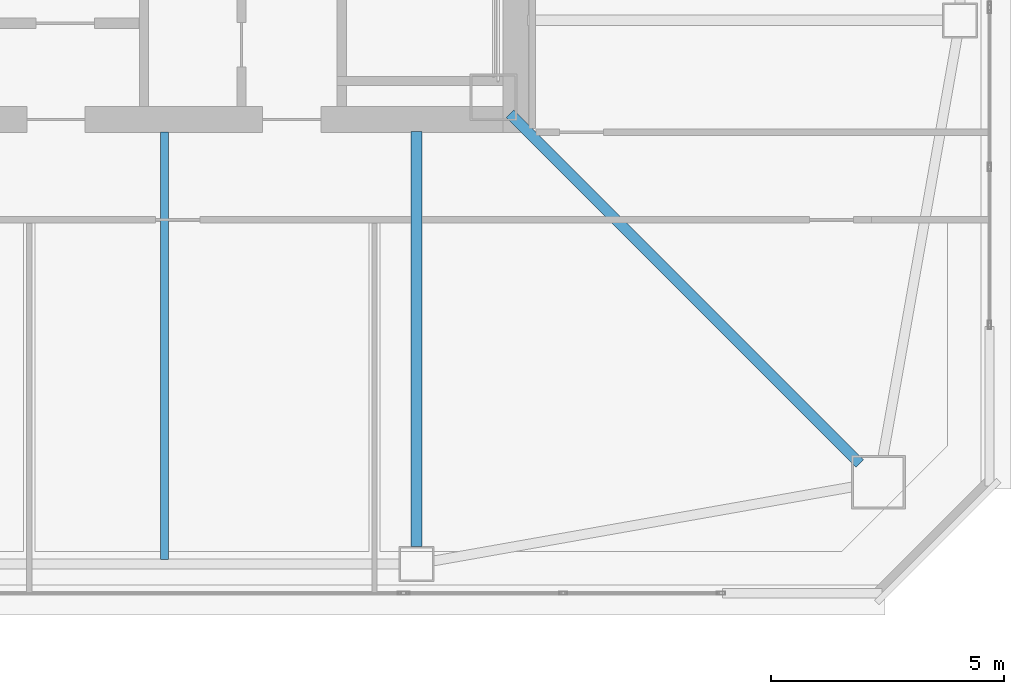
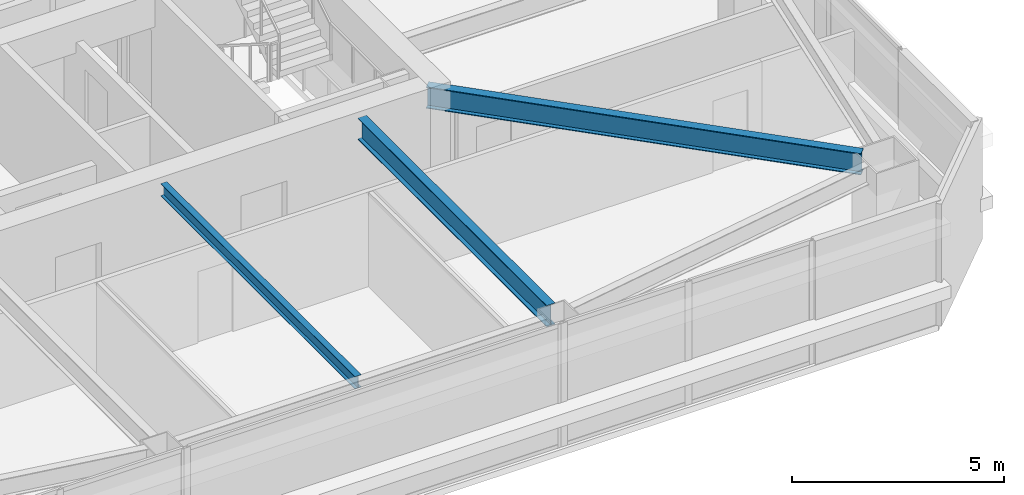
# One storey, part 7 of 43: 3 beams.
"""IFC4 building model written with IfcOpenShell, lengths in metres."""

from ifc_helpers import new_model, si_unit, direction, frame, origin, origin_2d, place, context, subcontext, project, spatial, i_section, extrude, material, material_profile, profile_set, type_object, element, save


model = new_model("IFC4")

# Units and contexts
model_context = context("Model", 3, precision=1e-05, world=origin(), true_north=direction((0.0, 1.0)))
body_context = subcontext(model_context, "Body", "Model", "MODEL_VIEW")
ifc_project = project(units=[si_unit("LENGTHUNIT", "METRE"), si_unit("AREAUNIT", "SQUARE_METRE"), si_unit("VOLUMEUNIT", "CUBIC_METRE"), si_unit("PLANEANGLEUNIT", "RADIAN"), si_unit("MASSUNIT", "GRAM", prefix="KILO")], contexts=[model_context])

# Site, building, storey
site_placement = place(None, origin())
site = spatial("IfcSite", under=ifc_project, at=site_placement, CompositionType="ELEMENT")
building_placement = place(site_placement, origin())
building = spatial("IfcBuilding", under=site, at=building_placement, Name="Tashvorn Skyway Center", CompositionType="ELEMENT")
storey_placement = place(building_placement, frame((0.0, 0.0, 160.550048828125)))
storey = spatial("IfcBuildingStorey", under=building, at=storey_placement, Name="L43", CompositionType="ELEMENT", Elevation=160.550048828125)

# Beams
ifc_material = material(Name="Steel ASTM A992 Grade 50", Category="steel")
ifc_material_profile_1 = material_profile(ifc_material, i_section(OverallWidth=0.22998046875, OverallDepth=0.616943359375, WebThickness=0.01318359375, FlangeThickness=0.022216796875, at=origin_2d()), Name="W24X94")
ifc_profile_set_1 = profile_set([ifc_material_profile_1], Name="Steel ASTM A992 Grade 50")
beam_type_1 = type_object("IfcBeamType", Name="BM-BEAM-W24X94", PredefinedType="BEAM", material=ifc_profile_set_1)
beam_1_placement = place(storey_placement, frame((56.89697265625, 17.10302734375, 3.0615234375), z_axis=(-0.707106781187, 0.707106781187, 0.0), x_axis=(-0.707106781187, -0.707106781187, 0.0)))
element("IfcBeam", 1, at=beam_1_placement, inside=storey, type_object=beam_type_1, Name="Tower 1 L43 Primary Floor Girder MC-SE", PredefinedType="BEAM", context=body_context, shape_type="SweptSolid", body=[
    extrude(i_section(OverallWidth=0.22998046875, OverallDepth=0.616943359375, WebThickness=0.01318359375, FlangeThickness=0.022216796875, at=origin_2d()), origin(), (0.0, 0.0, 1.0), 10.6025390625),
])
beam_2_placement = place(storey_placement, frame((47.39990234375, 15.320068359375, 3.0615234375), z_axis=(0.0, 1.0, 0.0), x_axis=(-1.0, 0.0, 0.0)))
element("IfcBeam", 2, at=beam_2_placement, inside=storey, type_object=beam_type_1, Name="Tower 1 L43 Primary Floor Girder FC-S2", PredefinedType="BEAM", context=body_context, shape_type="SweptSolid", body=[
    extrude(i_section(OverallWidth=0.22998046875, OverallDepth=0.616943359375, WebThickness=0.01318359375, FlangeThickness=0.022216796875, at=origin_2d()), origin(), (0.0, 0.0, 1.0), 8.89990234375),
])
ifc_material_profile_2 = material_profile(ifc_material, i_section(OverallWidth=0.1708984375, OverallDepth=0.35498046875, WebThickness=0.007080078125, FlangeThickness=0.01171875, at=origin_2d()), Name="W14X34")
ifc_profile_set_2 = profile_set([ifc_material_profile_2], Name="Steel ASTM A992 Grade 50")
beam_type_2 = type_object("IfcBeamType", Name="BM-JOIST-W14X34", PredefinedType="JOIST", material=ifc_profile_set_2)
beam_3_placement = place(storey_placement, frame((42.0, 24.2099609375, 3.1923828125), z_axis=(0.0, -1.0, 0.0), x_axis=(1.0, 0.0, 0.0)))
element("IfcBeam", 3, at=beam_3_placement, inside=storey, type_object=beam_type_2, Name="Tower 1 L43 Secondary Composite Joist JS", PredefinedType="JOIST", context=body_context, shape_type="SweptSolid", body=[
    extrude(i_section(OverallWidth=0.1708984375, OverallDepth=0.35498046875, WebThickness=0.007080078125, FlangeThickness=0.01171875, at=origin_2d()), origin(), (0.0, 0.0, 1.0), 9.162353515625),
])

save(model, "model.ifc")
